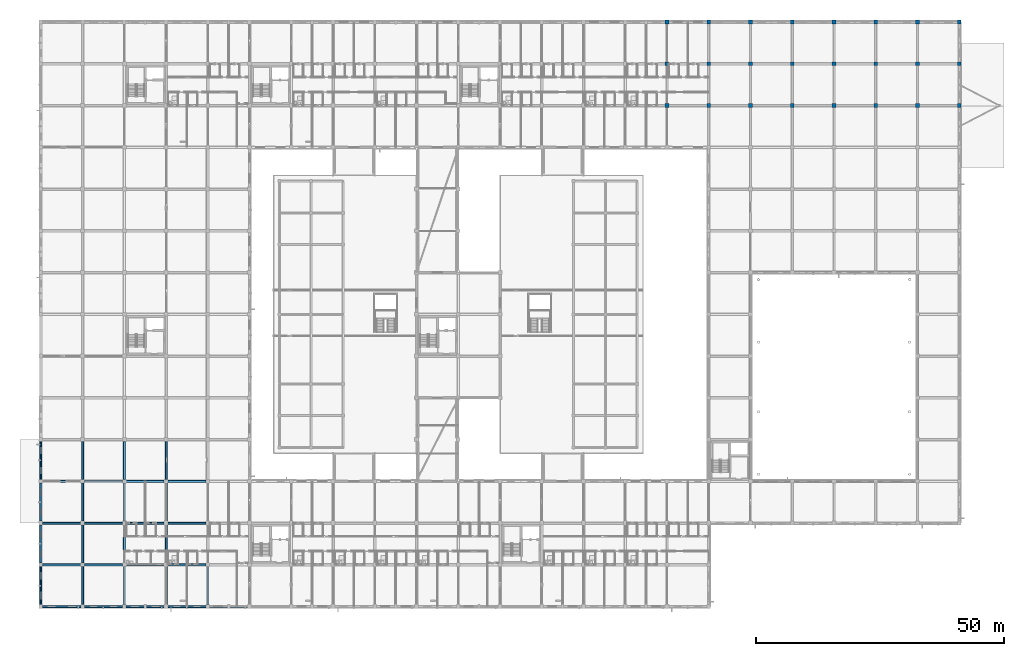
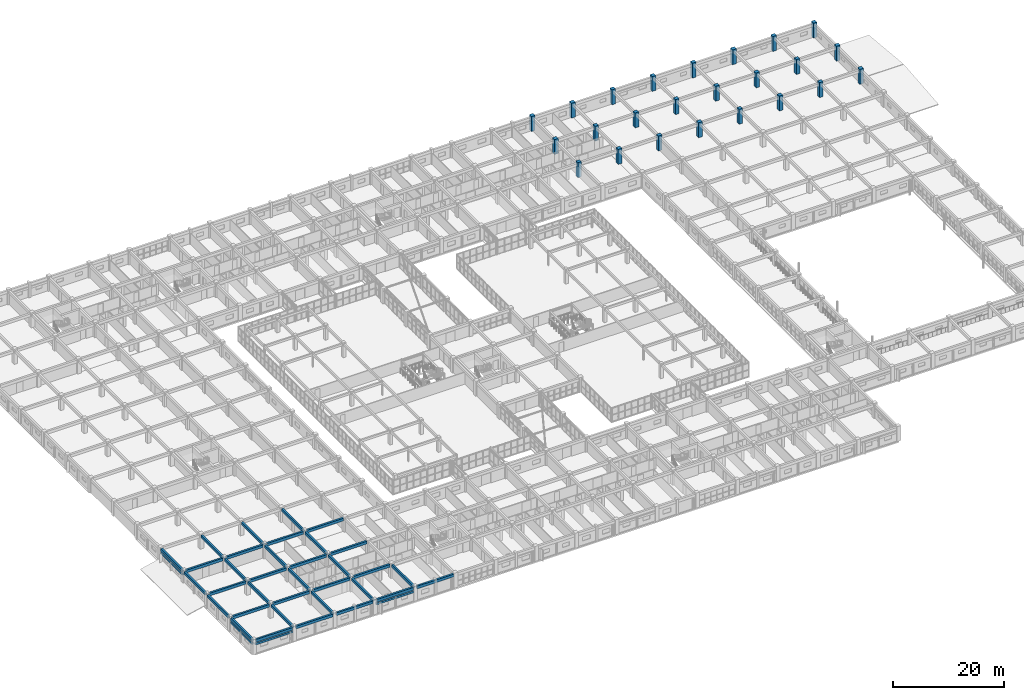
# One storey, part 27 of 200: 38 beams, 24 columns.
"""IFC4 building model written with IfcOpenShell, lengths in metres."""

import ifcopenshell
import ifcopenshell.guid

model = None  # the IFC model being written
_history = None  # IfcOwnerHistory: only IFC2X3 demands one
_inside = {}  # id of a spatial element -> (the spatial element, [elements in it])
_under = {}  # id of a project, library or spatial element -> (it, [spatial elements below it])
_declared = {}  # id of a project -> (the project, [libraries it declares])
_typed = {}  # id of a type object -> (the type object, [elements of that type])
_made_of = {}  # id of a material, layer set ... -> (it, [elements and type objects made of it])


def new_model(schema):
    """Start an empty IFC model of exactly this schema.

    Asked for "IFC4X3", IfcOpenShell would pick the latest addendum, in which some entities
    have other attributes; the version numbers below select the first issue.
    IFC2X3 requires an IfcOwnerHistory on every rooted entity: one is made here for all.
    """
    global model, _history
    if schema == "IFC4X3":
        model = ifcopenshell.file(schema_version=(4, 3, 0, 0))
    else:
        model = ifcopenshell.file(schema=schema)
    _inside.clear()
    _under.clear()
    _declared.clear()
    _typed.clear()
    _made_of.clear()
    _history = None
    if model.schema == "IFC2X3":
        org = make("IfcOrganization", Name="unknown")
        user = make(
            "IfcPersonAndOrganization",
            ThePerson=make("IfcPerson", FamilyName="unknown"),
            TheOrganization=org,
        )
        app = make(
            "IfcApplication",
            ApplicationDeveloper=org,
            Version="unknown",
            ApplicationFullName="unknown",
            ApplicationIdentifier="unknown",
        )
        _history = make(
            "IfcOwnerHistory",
            OwningUser=user,
            OwningApplication=app,
            ChangeAction="ADDED",
            CreationDate=0,
        )
    return model


def make(cls, **values):
    """One entity of the class cls with the attributes given. An attribute that is None is left unset."""
    return model.create_entity(
        cls, **{name: value for name, value in values.items() if value is not None}
    )


def rooted(cls, **values):
    """An entity with a GlobalId (a new one), such as an element, a storey or a relation."""
    return make(cls, GlobalId=ifcopenshell.guid.new(), OwnerHistory=_history, **values)


def si_unit(unit_type, name, prefix=None):
    """IfcSIUnit, for example si_unit("LENGTHUNIT", "METRE", prefix="MILLI")."""
    return make("IfcSIUnit", UnitType=unit_type, Prefix=prefix, Name=name)


def assignment(units):
    """IfcUnitAssignment: the units of a project."""
    return None if units is None else make("IfcUnitAssignment", Units=units)


def point(xyz):
    """IfcCartesianPoint."""
    return None if xyz is None else make("IfcCartesianPoint", Coordinates=xyz)


def direction(xyz):
    """IfcDirection."""
    return None if xyz is None else make("IfcDirection", DirectionRatios=xyz)


def frame(location, z_axis=None, x_axis=None):
    """IfcAxis2Placement3D, a coordinate frame: its origin and axes. An axis left out is left unset."""
    return make(
        "IfcAxis2Placement3D",
        Location=point(location),
        Axis=direction(z_axis),
        RefDirection=direction(x_axis),
    )


def frame_2d(location, x_axis=None):
    """IfcAxis2Placement2D, a coordinate frame in the plane: its origin and x axis."""
    return make(
        "IfcAxis2Placement2D", Location=point(location), RefDirection=direction(x_axis)
    )


def origin():
    """The frame at (0, 0, 0) with its axes left unset."""
    return frame((0.0, 0.0, 0.0))


def origin_2d():
    """The frame at (0, 0) in the plane with its x axis left unset."""
    return frame_2d((0.0, 0.0))


def place(relative_to, where):
    """IfcLocalPlacement: puts the frame where relative to a parent placement (None: the world)."""
    return make(
        "IfcLocalPlacement", PlacementRelTo=relative_to, RelativePlacement=where
    )


def context(
    kind, dimensions, precision=None, world=None, true_north=None, identifier=None
):
    """IfcGeometricRepresentationContext, for example the 3D "Model" context."""
    return make(
        "IfcGeometricRepresentationContext",
        ContextIdentifier=identifier,
        ContextType=kind,
        CoordinateSpaceDimension=dimensions,
        Precision=precision,
        WorldCoordinateSystem=world,
        TrueNorth=true_north,
    )


def subcontext(parent, identifier, kind, view, scale=None):
    """IfcGeometricRepresentationSubContext, for example "Body" below "Model"."""
    return make(
        "IfcGeometricRepresentationSubContext",
        ContextIdentifier=identifier,
        ContextType=kind,
        ParentContext=parent,
        TargetScale=scale,
        TargetView=view,
    )


def project(units=None, contexts=None):
    """IfcProject with its units and contexts."""
    return rooted(
        "IfcProject",
        Name="project",
        RepresentationContexts=contexts,
        UnitsInContext=assignment(units),
    )


def spatial(cls, under=None, at=None, **own):
    """A site, building, storey or space (cls), placed at a placement, below another one or the project."""
    s = rooted(cls, ObjectPlacement=at, **own)
    if under is not None:
        _under.setdefault(under.id(), (under, []))[1].append(s)
    return s


def profile(cls, at=None, kind="AREA", **sizes):
    """A parametric profile (cls). Its sizes go by their IFC names, for example OverallWidth=200.0."""
    return make(cls, ProfileType=kind, Position=at, **sizes)


def rectangle(**sizes):
    """IfcRectangleProfileDef."""
    return profile("IfcRectangleProfileDef", **sizes)


def extrude(swept, where, along, depth):
    """IfcExtrudedAreaSolid: the profile swept, set in the frame where, extruded along a direction by depth."""
    return make(
        "IfcExtrudedAreaSolid",
        SweptArea=swept,
        Position=where,
        ExtrudedDirection=direction(along),
        Depth=depth,
    )


def shape(context_of_items, identifier, shape_type, items):
    """IfcShapeRepresentation: the items that make up one representation, for example the "Body"."""
    return make(
        "IfcShapeRepresentation",
        ContextOfItems=context_of_items,
        RepresentationIdentifier=identifier,
        RepresentationType=shape_type,
        Items=items,
    )


def material(Name=None, Category=None):
    """IfcMaterial."""
    return make("IfcMaterial", Name=Name, Category=Category)


def material_profile(
    of_material, cross_section, Name=None, Category=None, Priority=None
):
    """IfcMaterialProfile: a cross section and its material."""
    return make(
        "IfcMaterialProfile",
        Name=Name,
        Material=of_material,
        Profile=cross_section,
        Priority=Priority,
        Category=Category,
    )


def profile_set(profiles, Name=None, composite=None):
    """IfcMaterialProfileSet."""
    return make(
        "IfcMaterialProfileSet",
        Name=Name,
        MaterialProfiles=profiles,
        CompositeProfile=composite,
    )


def made_of(thing, what):
    """Note that an element or type object is made of a material, layer set ...; save() writes the relation."""
    if what is not None:
        _made_of.setdefault(what.id(), (what, []))[1].append(thing)
    return thing


def type_object(cls, material=None, **own):
    """A type object (cls), such as IfcWallType, which elements share."""
    return made_of(rooted(cls, **own), material)


def element(
    cls,
    number,
    at=None,
    inside=None,
    cuts=None,
    type_object=None,
    material=None,
    context=None,
    identifier="Body",
    shape_type=None,
    held_by="IfcProductDefinitionShape",
    body=None,
    shapes=None,
    **own,
):
    """One element of the class cls, such as IfcWall. Its Tag is "e" and its number.

    at: its placement. inside: the storey or other place that contains it. cuts: it is an
    opening in that element (IfcRelVoidsElement). A single representation is given by context,
    identifier, shape_type and body (its items); several are given by shapes. held_by: the class
    of the entity that holds the representations. save() writes the other relations.
    """
    e = rooted(cls, Tag="e%d" % number, ObjectPlacement=at, **own)
    if body is not None:
        shapes = [shape(context, identifier, shape_type, body)]
    if shapes is not None:
        e.Representation = make(held_by, Representations=shapes)
    if inside is not None:
        _inside.setdefault(inside.id(), (inside, []))[1].append(e)
    if cuts is not None:
        rooted(
            "IfcRelVoidsElement", RelatingBuildingElement=cuts, RelatedOpeningElement=e
        )
    if type_object is not None:
        _typed.setdefault(type_object.id(), (type_object, []))[1].append(e)
    return made_of(e, material)


def aggregate(whole, parts):
    """IfcRelAggregates: a whole, such as a stair, and the parts it consists of."""
    return rooted("IfcRelAggregates", RelatingObject=whole, RelatedObjects=parts)


def save(model, path):
    """Write the relations noted so far, then the file.

    IfcRelAggregates (storeys below a building ...), IfcRelContainedInSpatialStructure (elements
    in a storey), IfcRelDefinesByType, IfcRelAssociatesMaterial and IfcRelDeclares: one each for
    every whole, place, type object, material and project.
    """
    for whole, parts in _under.values():
        aggregate(whole, parts)
    for where, things in _inside.values():
        rooted(
            "IfcRelContainedInSpatialStructure",
            RelatedElements=things,
            RelatingStructure=where,
        )
    for kind, things in _typed.values():
        rooted("IfcRelDefinesByType", RelatedObjects=things, RelatingType=kind)
    for what, things in _made_of.values():
        rooted("IfcRelAssociatesMaterial", RelatedObjects=things, RelatingMaterial=what)
    for by, libraries in _declared.values():
        rooted("IfcRelDeclares", RelatingContext=by, RelatedDefinitions=libraries)
    model.write(path)


model = new_model("IFC4")

# Units and contexts
model_context = context("Model", 3, precision=1e-05, world=origin(), true_north=direction((0.0, 1.0)))
body_context = subcontext(model_context, "Body", "Model", "MODEL_VIEW")
ifc_project = project(units=[si_unit("LENGTHUNIT", "METRE"), si_unit("AREAUNIT", "SQUARE_METRE"), si_unit("VOLUMEUNIT", "CUBIC_METRE"), si_unit("PLANEANGLEUNIT", "RADIAN"), si_unit("MASSUNIT", "GRAM", prefix="KILO")], contexts=[model_context])

# Site, building, storey
site_placement = place(None, origin())
site = spatial("IfcSite", under=ifc_project, at=site_placement, CompositionType="ELEMENT")
building_placement = place(site_placement, origin())
building = spatial("IfcBuilding", under=site, at=building_placement, Name="Trelvath General Hospital", CompositionType="ELEMENT")
storey_placement = place(building_placement, frame((0.0, 0.0, 4.800048828125)))
storey = spatial("IfcBuildingStorey", under=building, at=storey_placement, Name="L01", CompositionType="ELEMENT", Elevation=4.800048828125)

# Columns
ifc_material_1 = material(Name="Concrete C40/50", Category="concrete")
ifc_material_profile_1 = material_profile(ifc_material_1, rectangle(XDim=0.75, YDim=0.75, at=origin_2d()), Name="RC750x750")
ifc_profile_set_1 = profile_set([ifc_material_profile_1], Name="Concrete C40/50")
column_type_1 = type_object("IfcColumnType", Name="Column RC750", PredefinedType="COLUMN", material=ifc_profile_set_1)
for number, where, z_axis, x_axis, name in (
    (1, (126.0, 117.60009765625, 0.0), (0.0, 0.0, 1.0), (1.0, 0.0, 0.0), "Column C-16O L01"),
    (2, (134.39990234375, 117.60009765625, 0.0), (0.0, 0.0, 1.0), (1.0, 0.0, 0.0), "Column C-17O L01"),
    (3, (142.800048828125, 117.60009765625, 0.0), (0.0, 0.0, 1.0), (1.0, 0.0, 0.0), "Column C-18O L01"),
    (4, (151.199951171875, 117.60009765625, 0.0), (0.0, 0.0, 1.0), (1.0, 0.0, 0.0), "Column C-19O L01"),
    (5, (159.60009765625, 117.60009765625, 0.0), (0.0, 0.0, 1.0), (1.0, 0.0, 0.0), "Column C-20O L01"),
    (6, (168.0, 117.60009765625, 0.0), (0.0, 0.0, 1.0), (1.0, 0.0, 0.0), "Column C-21O L01"),
    (7, (176.39990234375, 117.60009765625, 0.0), (0.0, 0.0, 1.0), (1.0, 0.0, 0.0), "Column C-22O L01"),
    (8, (184.800048828125, 100.800048828125, 0.0), (0.0, 0.0, 1.0), (1.0, 0.0, 0.0), "Column C-23M L01"),
    (9, (184.800048828125, 109.199951171875, 0.0), (0.0, 0.0, 1.0), (1.0, 0.0, 0.0), "Column C-23N L01"),
    (10, (184.800048828125, 117.60009765625, 0.0), (0.0, 0.0, 1.0), (1.0, 0.0, 0.0), "Column C-23O L01"),
):
    element("IfcColumn", number, at=place(storey_placement, frame(where, z_axis=z_axis, x_axis=x_axis)), inside=storey, type_object=column_type_1, Name=name, PredefinedType="COLUMN", context=body_context, shape_type="SweptSolid", body=[
        extrude(rectangle(XDim=0.75, YDim=0.75, at=origin_2d()), origin(), (0.0, 0.0, 1.0), 3.300048828125),
    ])
ifc_material_2 = material(Name="Concrete C40/50", Category="concrete")
ifc_material_profile_2 = material_profile(ifc_material_2, rectangle(XDim=0.760009765625, YDim=0.760009765625, at=origin_2d()), Name="RC760x760")
ifc_profile_set_2 = profile_set([ifc_material_profile_2], Name="Concrete C40/50")
column_type_2 = type_object("IfcColumnType", Name="Column RC760", PredefinedType="COLUMN", material=ifc_profile_set_2)
for number, where, z_axis, x_axis, name in (
    (11, (126.0, 100.800048828125, 0.0), (0.0, 0.0, 1.0), (1.0, 0.0, 0.0), "Column C-16M L01"),
    (12, (126.0, 109.199951171875, 0.0), (0.0, 0.0, 1.0), (1.0, 0.0, 0.0), "Column C-16N L01"),
    (13, (134.39990234375, 100.800048828125, 0.0), (0.0, 0.0, 1.0), (1.0, 0.0, 0.0), "Column C-17M L01"),
    (14, (134.39990234375, 109.199951171875, 0.0), (0.0, 0.0, 1.0), (1.0, 0.0, 0.0), "Column C-17N L01"),
    (15, (142.800048828125, 100.800048828125, 0.0), (0.0, 0.0, 1.0), (1.0, 0.0, 0.0), "Column C-18M L01"),
    (16, (142.800048828125, 109.199951171875, 0.0), (0.0, 0.0, 1.0), (1.0, 0.0, 0.0), "Column C-18N L01"),
    (17, (151.199951171875, 100.800048828125, 0.0), (0.0, 0.0, 1.0), (1.0, 0.0, 0.0), "Column C-19M L01"),
    (18, (151.199951171875, 109.199951171875, 0.0), (0.0, 0.0, 1.0), (1.0, 0.0, 0.0), "Column C-19N L01"),
    (19, (159.60009765625, 100.800048828125, 0.0), (0.0, 0.0, 1.0), (1.0, 0.0, 0.0), "Column C-20M L01"),
    (20, (159.60009765625, 109.199951171875, 0.0), (0.0, 0.0, 1.0), (1.0, 0.0, 0.0), "Column C-20N L01"),
    (21, (168.0, 100.800048828125, 0.0), (0.0, 0.0, 1.0), (1.0, 0.0, 0.0), "Column C-21M L01"),
    (22, (168.0, 109.199951171875, 0.0), (0.0, 0.0, 1.0), (1.0, 0.0, 0.0), "Column C-21N L01"),
    (23, (176.39990234375, 100.800048828125, 0.0), (0.0, 0.0, 1.0), (1.0, 0.0, 0.0), "Column C-22M L01"),
    (24, (176.39990234375, 109.199951171875, 0.0), (0.0, 0.0, 1.0), (1.0, 0.0, 0.0), "Column C-22N L01"),
):
    element("IfcColumn", number, at=place(storey_placement, frame(where, z_axis=z_axis, x_axis=x_axis)), inside=storey, type_object=column_type_2, Name=name, PredefinedType="COLUMN", context=body_context, shape_type="SweptSolid", body=[
        extrude(rectangle(XDim=0.760009765625, YDim=0.760009765625, at=origin_2d()), origin(), (0.0, 0.0, 1.0), 3.300048828125),
    ])

# Beams
ifc_material_3 = material(Name="Concrete C35/45", Category="concrete")
ifc_material_profile_3 = material_profile(ifc_material_3, rectangle(XDim=0.3798828125, YDim=0.580078125, at=origin_2d()), Name="RCB380x580")
ifc_profile_set_3 = profile_set([ifc_material_profile_3], Name="Concrete C35/45")
beam_type_1 = type_object("IfcBeamType", Name="Beam RC380x580", PredefinedType="BEAM", material=ifc_profile_set_3)
for number, where, z_axis, x_axis, name in (
    (25, (0.0, 0.3701171875, 2.72998046875), (0.0, 1.0, 0.0), (-1.0, 0.0, 0.0), "Grid Beam BY-100A"),
    (26, (0.0, 8.77001953125, 2.72998046875), (0.0, 1.0, 0.0), (-1.0, 0.0, 0.0), "Grid Beam BY-100B"),
):
    element("IfcBeam", number, at=place(storey_placement, frame(where, z_axis=z_axis, x_axis=x_axis)), inside=storey, type_object=beam_type_1, Name=name, PredefinedType="BEAM", context=body_context, shape_type="SweptSolid", body=[
        extrude(rectangle(XDim=0.3798828125, YDim=0.580078125, at=origin_2d()), origin(), (0.0, 0.0, 1.0), 7.659912109375),
    ])
beam_1_placement = place(storey_placement, frame((0.0, 17.169921875, 2.72998046875), z_axis=(0.0, 1.0, 0.0), x_axis=(-1.0, 0.0, 0.0)))
element("IfcBeam", 27, at=beam_1_placement, inside=storey, type_object=beam_type_1, Name="Grid Beam BY-100C", PredefinedType="BEAM", context=body_context, shape_type="SweptSolid", body=[
    extrude(rectangle(XDim=0.3798828125, YDim=0.580078125, at=origin_2d()), origin(), (0.0, 0.0, 1.0), 7.66015625),
])
beam_2_placement = place(storey_placement, frame((0.0, 25.570068359375, 2.72998046875), z_axis=(0.0, 1.0, 0.0), x_axis=(-1.0, 0.0, 0.0)))
element("IfcBeam", 28, at=beam_2_placement, inside=storey, type_object=beam_type_1, Name="Grid Beam BY-100D", PredefinedType="BEAM", context=body_context, shape_type="SweptSolid", body=[
    extrude(rectangle(XDim=0.3798828125, YDim=0.580078125, at=origin_2d()), origin(), (0.0, 0.0, 1.0), 7.659912109375),
])
beam_3_placement = place(storey_placement, frame((8.39990234375, 0.3701171875, 2.72998046875), z_axis=(0.0, 1.0, 0.0), x_axis=(-1.0, 0.0, 0.0)))
element("IfcBeam", 29, at=beam_3_placement, inside=storey, type_object=beam_type_1, Name="Grid Beam BY-101A", PredefinedType="BEAM", context=body_context, shape_type="SweptSolid", body=[
    extrude(rectangle(XDim=0.3798828125, YDim=0.580078125, at=origin_2d()), origin(), (0.0, 0.0, 1.0), 7.65478515625),
])
beam_4_placement = place(storey_placement, frame((8.39990234375, 8.77490234375, 2.72998046875), z_axis=(0.0, 1.0, 0.0), x_axis=(-1.0, 0.0, 0.0)))
element("IfcBeam", 30, at=beam_4_placement, inside=storey, type_object=beam_type_1, Name="Grid Beam BY-101B", PredefinedType="BEAM", context=body_context, shape_type="SweptSolid", body=[
    extrude(rectangle(XDim=0.3798828125, YDim=0.580078125, at=origin_2d()), origin(), (0.0, 0.0, 1.0), 7.650146484375),
])
beam_5_placement = place(storey_placement, frame((8.39990234375, 17.175048828125, 2.72998046875), z_axis=(0.0, 1.0, 0.0), x_axis=(-1.0, 0.0, 0.0)))
element("IfcBeam", 31, at=beam_5_placement, inside=storey, type_object=beam_type_1, Name="Grid Beam BY-101C", PredefinedType="BEAM", context=body_context, shape_type="SweptSolid", body=[
    extrude(rectangle(XDim=0.3798828125, YDim=0.580078125, at=origin_2d()), origin(), (0.0, 0.0, 1.0), 7.64990234375),
])
beam_6_placement = place(storey_placement, frame((8.39990234375, 25.574951171875, 2.72998046875), z_axis=(0.0, 1.0, 0.0), x_axis=(-1.0, 0.0, 0.0)))
element("IfcBeam", 32, at=beam_6_placement, inside=storey, type_object=beam_type_1, Name="Grid Beam BY-101D", PredefinedType="BEAM", context=body_context, shape_type="SweptSolid", body=[
    extrude(rectangle(XDim=0.3798828125, YDim=0.580078125, at=origin_2d()), origin(), (0.0, 0.0, 1.0), 7.650146484375),
])
beam_7_placement = place(storey_placement, frame((16.800048828125, 0.3701171875, 2.72998046875), z_axis=(0.0, 1.0, 0.0), x_axis=(-1.0, 0.0, 0.0)))
element("IfcBeam", 33, at=beam_7_placement, inside=storey, type_object=beam_type_1, Name="Grid Beam BY-102A", PredefinedType="BEAM", context=body_context, shape_type="SweptSolid", body=[
    extrude(rectangle(XDim=0.3798828125, YDim=0.580078125, at=origin_2d()), origin(), (0.0, 0.0, 1.0), 7.65478515625),
])
beam_8_placement = place(storey_placement, frame((16.800048828125, 8.77490234375, 2.72998046875), z_axis=(0.0, 1.0, 0.0), x_axis=(-1.0, 0.0, 0.0)))
element("IfcBeam", 34, at=beam_8_placement, inside=storey, type_object=beam_type_1, Name="Grid Beam BY-102B", PredefinedType="BEAM", context=body_context, shape_type="SweptSolid", body=[
    extrude(rectangle(XDim=0.3798828125, YDim=0.580078125, at=origin_2d()), origin(), (0.0, 0.0, 1.0), 7.650146484375),
])
beam_9_placement = place(storey_placement, frame((16.800048828125, 17.175048828125, 2.72998046875), z_axis=(0.0, 1.0, 0.0), x_axis=(-1.0, 0.0, 0.0)))
element("IfcBeam", 35, at=beam_9_placement, inside=storey, type_object=beam_type_1, Name="Grid Beam BY-102C", PredefinedType="BEAM", context=body_context, shape_type="SweptSolid", body=[
    extrude(rectangle(XDim=0.3798828125, YDim=0.580078125, at=origin_2d()), origin(), (0.0, 0.0, 1.0), 7.64990234375),
])
beam_10_placement = place(storey_placement, frame((16.800048828125, 25.574951171875, 2.72998046875), z_axis=(0.0, 1.0, 0.0), x_axis=(-1.0, 0.0, 0.0)))
element("IfcBeam", 36, at=beam_10_placement, inside=storey, type_object=beam_type_1, Name="Grid Beam BY-102D", PredefinedType="BEAM", context=body_context, shape_type="SweptSolid", body=[
    extrude(rectangle(XDim=0.3798828125, YDim=0.580078125, at=origin_2d()), origin(), (0.0, 0.0, 1.0), 7.650146484375),
])
beam_11_placement = place(storey_placement, frame((25.199951171875, 0.3701171875, 2.72998046875), z_axis=(0.0, 1.0, 0.0), x_axis=(-1.0, 0.0, 0.0)))
element("IfcBeam", 37, at=beam_11_placement, inside=storey, type_object=beam_type_1, Name="Grid Beam BY-103A", PredefinedType="BEAM", context=body_context, shape_type="SweptSolid", body=[
    extrude(rectangle(XDim=0.3798828125, YDim=0.580078125, at=origin_2d()), origin(), (0.0, 0.0, 1.0), 7.65478515625),
])
beam_12_placement = place(storey_placement, frame((25.199951171875, 8.77490234375, 2.72998046875), z_axis=(0.0, 1.0, 0.0), x_axis=(-1.0, 0.0, 0.0)))
element("IfcBeam", 38, at=beam_12_placement, inside=storey, type_object=beam_type_1, Name="Grid Beam BY-103B", PredefinedType="BEAM", context=body_context, shape_type="SweptSolid", body=[
    extrude(rectangle(XDim=0.3798828125, YDim=0.580078125, at=origin_2d()), origin(), (0.0, 0.0, 1.0), 7.650146484375),
])
beam_13_placement = place(storey_placement, frame((25.199951171875, 17.175048828125, 2.72998046875), z_axis=(0.0, 1.0, 0.0), x_axis=(-1.0, 0.0, 0.0)))
element("IfcBeam", 39, at=beam_13_placement, inside=storey, type_object=beam_type_1, Name="Grid Beam BY-103C", PredefinedType="BEAM", context=body_context, shape_type="SweptSolid", body=[
    extrude(rectangle(XDim=0.3798828125, YDim=0.580078125, at=origin_2d()), origin(), (0.0, 0.0, 1.0), 7.64990234375),
])
beam_14_placement = place(storey_placement, frame((25.199951171875, 25.574951171875, 2.72998046875), z_axis=(0.0, 1.0, 0.0), x_axis=(-1.0, 0.0, 0.0)))
element("IfcBeam", 40, at=beam_14_placement, inside=storey, type_object=beam_type_1, Name="Grid Beam BY-103D", PredefinedType="BEAM", context=body_context, shape_type="SweptSolid", body=[
    extrude(rectangle(XDim=0.3798828125, YDim=0.580078125, at=origin_2d()), origin(), (0.0, 0.0, 1.0), 7.650146484375),
])
beam_15_placement = place(storey_placement, frame((33.60009765625, 0.3701171875, 2.72998046875), z_axis=(0.0, 1.0, 0.0), x_axis=(-1.0, 0.0, 0.0)))
element("IfcBeam", 41, at=beam_15_placement, inside=storey, type_object=beam_type_1, Name="Grid Beam BY-104A", PredefinedType="BEAM", context=body_context, shape_type="SweptSolid", body=[
    extrude(rectangle(XDim=0.3798828125, YDim=0.580078125, at=origin_2d()), origin(), (0.0, 0.0, 1.0), 7.65478515625),
])
ifc_material_4 = material(Name="Concrete C35/45", Category="concrete")
ifc_material_profile_4 = material_profile(ifc_material_4, rectangle(XDim=0.39990234375, YDim=0.60009765625, at=origin_2d()), Name="RCB400x600")
ifc_profile_set_4 = profile_set([ifc_material_profile_4], Name="Concrete C35/45")
beam_type_2 = type_object("IfcBeamType", Name="Beam RC400x600", PredefinedType="BEAM", material=ifc_profile_set_4)
beam_16_placement = place(storey_placement, frame((0.3701171875, 0.0, 2.719970703125), z_axis=(1.0, 0.0, 0.0), x_axis=(0.0, 1.0, 0.0)))
element("IfcBeam", 42, at=beam_16_placement, inside=storey, type_object=beam_type_2, Name="Grid Beam BX-100A", PredefinedType="BEAM", context=body_context, shape_type="SweptSolid", body=[
    extrude(rectangle(XDim=0.39990234375, YDim=0.60009765625, at=origin_2d()), origin(), (0.0, 0.0, 1.0), 7.659912109375),
])
for number, where, z_axis, x_axis, name in (
    (43, (0.3701171875, 8.39990234375, 2.719970703125), (1.0, 0.0, 0.0), (0.0, 1.0, 0.0), "Grid Beam BX-100B"),
    (44, (0.3701171875, 16.800048828125, 2.719970703125), (1.0, 0.0, 0.0), (0.0, 1.0, 0.0), "Grid Beam BX-100C"),
    (45, (0.3701171875, 25.199951171875, 2.719970703125), (1.0, 0.0, 0.0), (0.0, 1.0, 0.0), "Grid Beam BX-100D"),
):
    element("IfcBeam", number, at=place(storey_placement, frame(where, z_axis=z_axis, x_axis=x_axis)), inside=storey, type_object=beam_type_2, Name=name, PredefinedType="BEAM", context=body_context, shape_type="SweptSolid", body=[
        extrude(rectangle(XDim=0.39990234375, YDim=0.60009765625, at=origin_2d()), origin(), (0.0, 0.0, 1.0), 7.65478515625),
    ])
beam_17_placement = place(storey_placement, frame((8.77001953125, 0.0, 2.719970703125), z_axis=(1.0, 0.0, 0.0), x_axis=(0.0, 1.0, 0.0)))
element("IfcBeam", 46, at=beam_17_placement, inside=storey, type_object=beam_type_2, Name="Grid Beam BX-101A", PredefinedType="BEAM", context=body_context, shape_type="SweptSolid", body=[
    extrude(rectangle(XDim=0.39990234375, YDim=0.60009765625, at=origin_2d()), origin(), (0.0, 0.0, 1.0), 7.659912109375),
])
for number, where, z_axis, x_axis, name in (
    (47, (8.77490234375, 8.39990234375, 2.719970703125), (1.0, 0.0, 0.0), (0.0, 1.0, 0.0), "Grid Beam BX-101B"),
    (48, (8.77490234375, 16.800048828125, 2.719970703125), (1.0, 0.0, 0.0), (0.0, 1.0, 0.0), "Grid Beam BX-101C"),
    (49, (8.77490234375, 25.199951171875, 2.719970703125), (1.0, 0.0, 0.0), (0.0, 1.0, 0.0), "Grid Beam BX-101D"),
):
    element("IfcBeam", number, at=place(storey_placement, frame(where, z_axis=z_axis, x_axis=x_axis)), inside=storey, type_object=beam_type_2, Name=name, PredefinedType="BEAM", context=body_context, shape_type="SweptSolid", body=[
        extrude(rectangle(XDim=0.39990234375, YDim=0.60009765625, at=origin_2d()), origin(), (0.0, 0.0, 1.0), 7.650146484375),
    ])
beam_18_placement = place(storey_placement, frame((17.169921875, 0.0, 2.719970703125), z_axis=(1.0, 0.0, 0.0), x_axis=(0.0, 1.0, 0.0)))
element("IfcBeam", 50, at=beam_18_placement, inside=storey, type_object=beam_type_2, Name="Grid Beam BX-102A", PredefinedType="BEAM", context=body_context, shape_type="SweptSolid", body=[
    extrude(rectangle(XDim=0.39990234375, YDim=0.60009765625, at=origin_2d()), origin(), (0.0, 0.0, 1.0), 7.66015625),
])
for number, where, z_axis, x_axis, name in (
    (51, (17.175048828125, 8.39990234375, 2.719970703125), (1.0, 0.0, 0.0), (0.0, 1.0, 0.0), "Grid Beam BX-102B"),
    (52, (17.175048828125, 16.800048828125, 2.719970703125), (1.0, 0.0, 0.0), (0.0, 1.0, 0.0), "Grid Beam BX-102C"),
    (53, (17.175048828125, 25.199951171875, 2.719970703125), (1.0, 0.0, 0.0), (0.0, 1.0, 0.0), "Grid Beam BX-102D"),
):
    element("IfcBeam", number, at=place(storey_placement, frame(where, z_axis=z_axis, x_axis=x_axis)), inside=storey, type_object=beam_type_2, Name=name, PredefinedType="BEAM", context=body_context, shape_type="SweptSolid", body=[
        extrude(rectangle(XDim=0.39990234375, YDim=0.60009765625, at=origin_2d()), origin(), (0.0, 0.0, 1.0), 7.64990234375),
    ])
beam_19_placement = place(storey_placement, frame((25.570068359375, 0.0, 2.719970703125), z_axis=(1.0, 0.0, 0.0), x_axis=(0.0, 1.0, 0.0)))
element("IfcBeam", 54, at=beam_19_placement, inside=storey, type_object=beam_type_2, Name="Grid Beam BX-103A", PredefinedType="BEAM", context=body_context, shape_type="SweptSolid", body=[
    extrude(rectangle(XDim=0.39990234375, YDim=0.60009765625, at=origin_2d()), origin(), (0.0, 0.0, 1.0), 7.659912109375),
])
for number, where, z_axis, x_axis, name in (
    (55, (25.574951171875, 8.39990234375, 2.719970703125), (1.0, 0.0, 0.0), (0.0, 1.0, 0.0), "Grid Beam BX-103B"),
    (56, (25.574951171875, 16.800048828125, 2.719970703125), (1.0, 0.0, 0.0), (0.0, 1.0, 0.0), "Grid Beam BX-103C"),
    (57, (25.574951171875, 25.199951171875, 2.719970703125), (1.0, 0.0, 0.0), (0.0, 1.0, 0.0), "Grid Beam BX-103D"),
):
    element("IfcBeam", number, at=place(storey_placement, frame(where, z_axis=z_axis, x_axis=x_axis)), inside=storey, type_object=beam_type_2, Name=name, PredefinedType="BEAM", context=body_context, shape_type="SweptSolid", body=[
        extrude(rectangle(XDim=0.39990234375, YDim=0.60009765625, at=origin_2d()), origin(), (0.0, 0.0, 1.0), 7.650146484375),
    ])
beam_20_placement = place(storey_placement, frame((33.969970703125, 0.0, 2.719970703125), z_axis=(1.0, 0.0, 0.0), x_axis=(0.0, 1.0, 0.0)))
element("IfcBeam", 58, at=beam_20_placement, inside=storey, type_object=beam_type_2, Name="Grid Beam BX-104A", PredefinedType="BEAM", context=body_context, shape_type="SweptSolid", body=[
    extrude(rectangle(XDim=0.39990234375, YDim=0.60009765625, at=origin_2d()), origin(), (0.0, 0.0, 1.0), 7.659912109375),
])
ifc_material_5 = material(Name="Precast concrete C40/50", Category="concrete")
ifc_material_profile_5 = material_profile(ifc_material_5, rectangle(XDim=0.35009765625, YDim=0.419921875, at=origin_2d()), Name="PCL350x420")
ifc_profile_set_5 = profile_set([ifc_material_profile_5], Name="Precast concrete C40/50")
beam_type_3 = type_object("IfcBeamType", Name="Lintel PC350x420", PredefinedType="LINTEL", material=ifc_profile_set_5)
for number, where, z_axis, x_axis, name in (
    (59, (8.110107421875, 0.0, 2.02001953125), (-1.0, 0.0, 0.0), (0.0, -1.0, 0.0), "Precast Window Brow Lintel L01-108"),
    (60, (0.0, 0.2900390625, 2.02001953125), (0.0, 1.0, 0.0), (-1.0, 0.0, 0.0), "Precast Window Brow Lintel L01-109"),
    (61, (0.0, 25.489990234375, 2.02001953125), (0.0, 1.0, 0.0), (-1.0, 0.0, 0.0), "Precast Window Brow Lintel L01-112"),
    (62, (33.31005859375, 0.0, 2.02001953125), (-1.0, 0.0, 0.0), (0.0, -1.0, 0.0), "Precast Window Brow Lintel L01-128"),
):
    element("IfcBeam", number, at=place(storey_placement, frame(where, z_axis=z_axis, x_axis=x_axis)), inside=storey, type_object=beam_type_3, Name=name, PredefinedType="LINTEL", context=body_context, shape_type="SweptSolid", body=[
        extrude(rectangle(XDim=0.35009765625, YDim=0.419921875, at=origin_2d()), origin(), (0.0, 0.0, 1.0), 7.820068359375),
    ])

save(model, "model.ifc")
